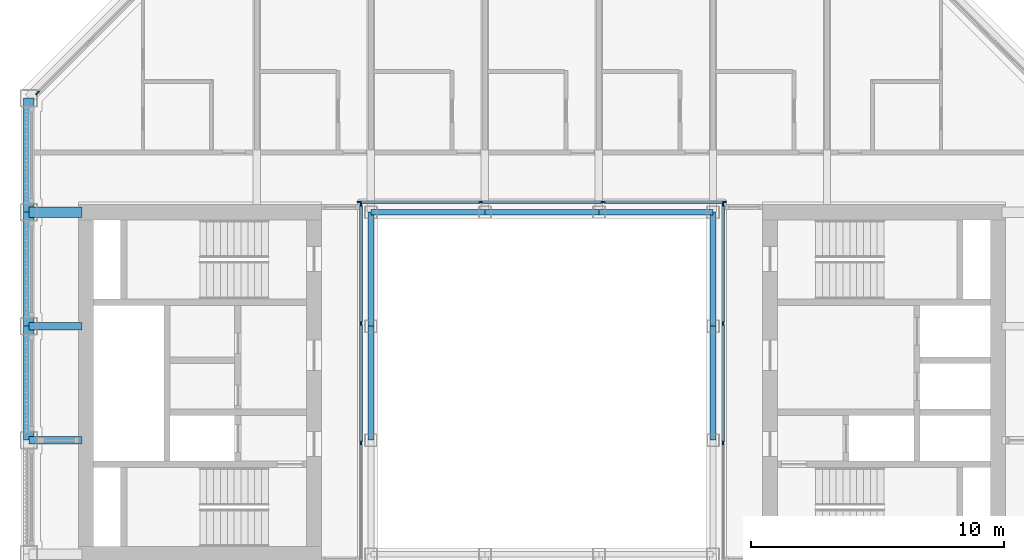
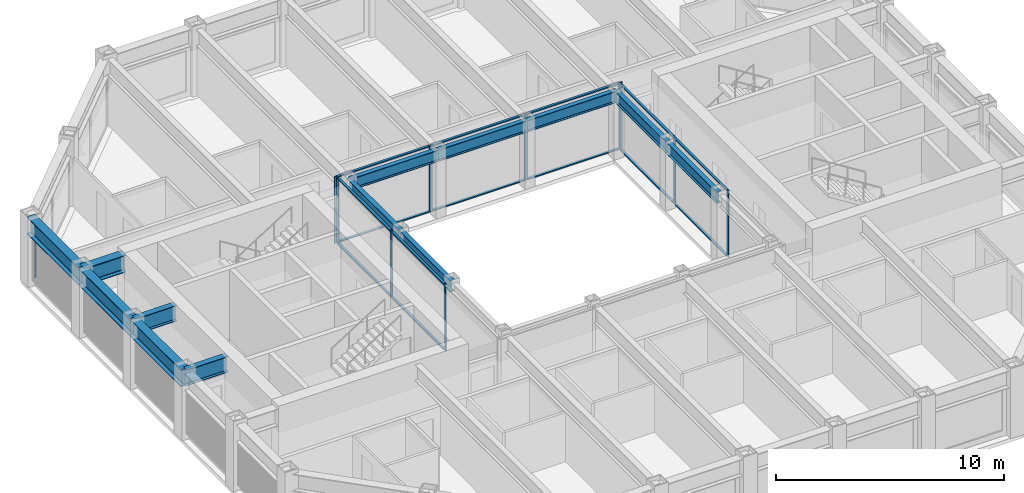
# One storey, part 4 of 18: 25 members, 13 beams, 4 elements without a shape of their own.
"""IFC4 building model written with IfcOpenShell, lengths in metres."""

from ifc_helpers import new_model, si_unit, direction, frame, origin, origin_2d, place, context, subcontext, project, spatial, rectangle, i_section, extrude, material, material_profile, profile_set, type_object, element, aggregate, save


model = new_model("IFC4")

# Units and contexts
model_context = context("Model", 3, precision=1e-05, world=origin(), true_north=direction((0.0, 1.0)))
body_context = subcontext(model_context, "Body", "Model", "MODEL_VIEW")
ifc_project = project(units=[si_unit("LENGTHUNIT", "METRE"), si_unit("AREAUNIT", "SQUARE_METRE"), si_unit("VOLUMEUNIT", "CUBIC_METRE"), si_unit("PLANEANGLEUNIT", "RADIAN"), si_unit("MASSUNIT", "GRAM", prefix="KILO")], contexts=[model_context])

# Site, building, storey
site_placement = place(None, origin())
site = spatial("IfcSite", under=ifc_project, at=site_placement, CompositionType="ELEMENT")
building_placement = place(site_placement, origin())
building = spatial("IfcBuilding", under=site, at=building_placement, Name="Msasa Ring Tower", CompositionType="ELEMENT")
storey_placement = place(building_placement, frame((0.0, 0.0, 200.800048828125)))
storey = spatial("IfcBuildingStorey", under=building, at=storey_placement, Name="L52", CompositionType="ELEMENT", Elevation=200.800048828125)

# Curtain wall, member
ifc_material_1 = material(Name="Aluminium curtain wall with clear glass", Category="aluminium")
curtain_wall_type_1 = type_object("IfcCurtainWallType", Name="CW-C CHAMFER CORNER CURTAIN WALL", PredefinedType="NOTDEFINED", material=ifc_material_1)
curtain_wall_1_placement = place(storey_placement, origin())
curtain_wall_1 = element("IfcCurtainWall", 1, at=curtain_wall_1_placement, inside=storey, type_object=curtain_wall_type_1, Name="Chamfer corner curtain wall NW L52", PredefinedType="NOTDEFINED")
ifc_material_2 = material(Name="Aluminium mullion", Category="aluminium")
ifc_material_profile_1 = material_profile(ifc_material_2, rectangle(XDim=0.06494140625, YDim=0.179931640625, at=origin_2d()), Name="AL 65x180")
ifc_profile_set_1 = profile_set([ifc_material_profile_1], Name="Aluminium mullion")
member_type_1 = type_object("IfcMemberType", Name="CW-C MULLION 65x180", PredefinedType="MULLION", material=ifc_profile_set_1)
member_1_placement = place(storey_placement, frame((-19.9052734375, 11.453369140625, 0.0), z_axis=(0.0, 0.0, 1.0), x_axis=(0.707106781187, -0.707106781187, 0.0)))
member_1 = element("IfcMember", 2, at=member_1_placement, type_object=member_type_1, Name="CW-C mullion 3", PredefinedType="MULLION", context=body_context, shape_type="SweptSolid", body=[
    extrude(rectangle(XDim=0.06494140625, YDim=0.179931640625, at=origin_2d()), origin(), (0.0, 0.0, 1.0), 2.62890625),
])
aggregate(curtain_wall_1, [member_1])

# Curtain wall, members
ifc_material_3 = material(Name="Aluminium curtain wall with clear glass", Category="aluminium")
curtain_wall_type_2 = type_object("IfcCurtainWallType", Name="CW-W LIGHT WELL CURTAIN WALL", PredefinedType="NOTDEFINED", material=ifc_material_3)
curtain_wall_2_placement = place(storey_placement, origin())
curtain_wall_2 = element("IfcCurtainWall", 3, at=curtain_wall_2_placement, inside=storey, type_object=curtain_wall_type_2, Name="Light well curtain wall N L52", PredefinedType="NOTDEFINED")
ifc_material_4 = material(Name="Aluminium mullion", Category="aluminium")
ifc_material_profile_2 = material_profile(ifc_material_4, rectangle(XDim=0.06005859375, YDim=0.159912109375, at=origin_2d()), Name="AL 60x160")
ifc_profile_set_2 = profile_set([ifc_material_profile_2], Name="Aluminium mullion")
member_type_2 = type_object("IfcMemberType", Name="CW-W MULLION 60x160", PredefinedType="MULLION", material=ifc_profile_set_2)
member_2_placement = place(storey_placement, frame((-7.199951171875, 7.14990234375, 0.0), z_axis=(0.0, 0.0, 1.0), x_axis=(0.0, 1.0, 0.0)))
member_2 = element("IfcMember", 4, at=member_2_placement, type_object=member_type_2, Name="CW-W mullion 1", PredefinedType="MULLION", context=body_context, shape_type="SweptSolid", body=[
    extrude(rectangle(XDim=0.06005859375, YDim=0.159912109375, at=origin_2d()), origin(), (0.0, 0.0, 1.0), 3.550048828125),
])
member_3_placement = place(storey_placement, frame((-2.409912109375, 7.14990234375, 0.0), z_axis=(0.0, 0.0, 1.0), x_axis=(0.0, 1.0, 0.0)))
member_3 = element("IfcMember", 5, at=member_3_placement, type_object=member_type_2, Name="CW-W mullion 2", PredefinedType="MULLION", context=body_context, shape_type="SweptSolid", body=[
    extrude(rectangle(XDim=0.06005859375, YDim=0.159912109375, at=origin_2d()), origin(), (0.0, 0.0, 1.0), 3.550048828125),
])
member_4_placement = place(storey_placement, frame((2.409912109375, 7.14990234375, 0.0), z_axis=(0.0, 0.0, 1.0), x_axis=(0.0, 1.0, 0.0)))
member_4 = element("IfcMember", 6, at=member_4_placement, type_object=member_type_2, Name="CW-W mullion 3", PredefinedType="MULLION", context=body_context, shape_type="SweptSolid", body=[
    extrude(rectangle(XDim=0.06005859375, YDim=0.159912109375, at=origin_2d()), origin(), (0.0, 0.0, 1.0), 3.550048828125),
])
member_5_placement = place(storey_placement, frame((7.199951171875, 7.14990234375, 0.0), z_axis=(0.0, 0.0, 1.0), x_axis=(0.0, 1.0, 0.0)))
member_5 = element("IfcMember", 7, at=member_5_placement, type_object=member_type_2, Name="CW-W mullion 4", PredefinedType="MULLION", context=body_context, shape_type="SweptSolid", body=[
    extrude(rectangle(XDim=0.06005859375, YDim=0.159912109375, at=origin_2d()), origin(), (0.0, 0.0, 1.0), 3.550048828125),
])

curtain_wall_3_placement = place(storey_placement, origin())
curtain_wall_3 = element("IfcCurtainWall", 8, at=curtain_wall_3_placement, inside=storey, type_object=curtain_wall_type_2, Name="Light well curtain wall E L52", PredefinedType="NOTDEFINED")
member_6_placement = place(storey_placement, frame((7.14990234375, -2.356689453125, 0.0), z_axis=(0.0, 0.0, 1.0), x_axis=(-1.0, 0.0, 0.0)))
member_6 = element("IfcMember", 9, at=member_6_placement, type_object=member_type_2, Name="CW-W mullion 2", PredefinedType="MULLION", context=body_context, shape_type="SweptSolid", body=[
    extrude(rectangle(XDim=0.06005859375, YDim=0.159912109375, at=origin_2d()), origin(), (0.0, 0.0, 1.0), 3.550048828125),
])
member_7_placement = place(storey_placement, frame((7.14990234375, 2.356689453125, 0.0), z_axis=(0.0, 0.0, 1.0), x_axis=(-1.0, 0.0, 0.0)))
member_7 = element("IfcMember", 10, at=member_7_placement, type_object=member_type_2, Name="CW-W mullion 3", PredefinedType="MULLION", context=body_context, shape_type="SweptSolid", body=[
    extrude(rectangle(XDim=0.06005859375, YDim=0.159912109375, at=origin_2d()), origin(), (0.0, 0.0, 1.0), 3.550048828125),
])
member_8_placement = place(storey_placement, frame((7.14990234375, 7.0400390625, 0.0), z_axis=(0.0, 0.0, 1.0), x_axis=(-1.0, 0.0, 0.0)))
member_8 = element("IfcMember", 11, at=member_8_placement, type_object=member_type_2, Name="CW-W mullion 4", PredefinedType="MULLION", context=body_context, shape_type="SweptSolid", body=[
    extrude(rectangle(XDim=0.06005859375, YDim=0.159912109375, at=origin_2d()), origin(), (0.0, 0.0, 1.0), 3.550048828125),
])

curtain_wall_4_placement = place(storey_placement, origin())
curtain_wall_4 = element("IfcCurtainWall", 12, at=curtain_wall_4_placement, inside=storey, type_object=curtain_wall_type_2, Name="Light well curtain wall W L52", PredefinedType="NOTDEFINED")
member_9_placement = place(storey_placement, frame((-7.14990234375, -2.356689453125, 0.0), z_axis=(0.0, 0.0, 1.0), x_axis=(-1.0, 0.0, 0.0)))
member_9 = element("IfcMember", 13, at=member_9_placement, type_object=member_type_2, Name="CW-W mullion 2", PredefinedType="MULLION", context=body_context, shape_type="SweptSolid", body=[
    extrude(rectangle(XDim=0.06005859375, YDim=0.159912109375, at=origin_2d()), origin(), (0.0, 0.0, 1.0), 3.550048828125),
])
member_10_placement = place(storey_placement, frame((-7.14990234375, 2.356689453125, 0.0), z_axis=(0.0, 0.0, 1.0), x_axis=(-1.0, 0.0, 0.0)))
member_10 = element("IfcMember", 14, at=member_10_placement, type_object=member_type_2, Name="CW-W mullion 3", PredefinedType="MULLION", context=body_context, shape_type="SweptSolid", body=[
    extrude(rectangle(XDim=0.06005859375, YDim=0.159912109375, at=origin_2d()), origin(), (0.0, 0.0, 1.0), 3.550048828125),
])
member_11_placement = place(storey_placement, frame((-7.14990234375, 7.0400390625, 0.0), z_axis=(0.0, 0.0, 1.0), x_axis=(-1.0, 0.0, 0.0)))
member_11 = element("IfcMember", 15, at=member_11_placement, type_object=member_type_2, Name="CW-W mullion 4", PredefinedType="MULLION", context=body_context, shape_type="SweptSolid", body=[
    extrude(rectangle(XDim=0.06005859375, YDim=0.159912109375, at=origin_2d()), origin(), (0.0, 0.0, 1.0), 3.550048828125),
])

# Member
ifc_material_5 = material(Name="Aluminium transom", Category="aluminium")
ifc_material_profile_3 = material_profile(ifc_material_5, rectangle(XDim=0.1201171875, YDim=0.06005859375, at=origin_2d()), Name="AL 60x120")
ifc_profile_set_3 = profile_set([ifc_material_profile_3], Name="Aluminium transom")
member_type_3 = type_object("IfcMemberType", Name="CW-W TRANSOM 60x120", PredefinedType="USERDEFINED", material=ifc_profile_set_3)
member_12_placement = place(storey_placement, frame((-7.169921875, 7.14990234375, 0.030029296875), z_axis=(1.0, 0.0, 0.0), x_axis=(0.0, 1.0, 0.0)))
member_12 = element("IfcMember", 16, at=member_12_placement, type_object=member_type_3, Name="CW-W transom 1.1", ObjectType="TRANSOM", PredefinedType="USERDEFINED", context=body_context, shape_type="SweptSolid", body=[
    extrude(rectangle(XDim=0.1201171875, YDim=0.06005859375, at=origin_2d()), origin(), (0.0, 0.0, 1.0), 4.72998046875),
])

member_13_placement = place(storey_placement, frame((-7.169921875, 7.14990234375, 3.52001953125), z_axis=(1.0, 0.0, 0.0), x_axis=(0.0, 1.0, 0.0)))
member_13 = element("IfcMember", 17, at=member_13_placement, type_object=member_type_3, Name="CW-W transom 1.2", ObjectType="TRANSOM", PredefinedType="USERDEFINED", context=body_context, shape_type="SweptSolid", body=[
    extrude(rectangle(XDim=0.1201171875, YDim=0.06005859375, at=origin_2d()), origin(), (0.0, 0.0, 1.0), 4.72998046875),
])

member_14_placement = place(storey_placement, frame((-2.3798828125, 7.14990234375, 0.030029296875), z_axis=(1.0, 0.0, 0.0), x_axis=(0.0, 1.0, 0.0)))
member_14 = element("IfcMember", 18, at=member_14_placement, type_object=member_type_3, Name="CW-W transom 2.1", ObjectType="TRANSOM", PredefinedType="USERDEFINED", context=body_context, shape_type="SweptSolid", body=[
    extrude(rectangle(XDim=0.1201171875, YDim=0.06005859375, at=origin_2d()), origin(), (0.0, 0.0, 1.0), 4.759765625),
])

member_15_placement = place(storey_placement, frame((-2.3798828125, 7.14990234375, 3.52001953125), z_axis=(1.0, 0.0, 0.0), x_axis=(0.0, 1.0, 0.0)))
member_15 = element("IfcMember", 19, at=member_15_placement, type_object=member_type_3, Name="CW-W transom 2.2", ObjectType="TRANSOM", PredefinedType="USERDEFINED", context=body_context, shape_type="SweptSolid", body=[
    extrude(rectangle(XDim=0.1201171875, YDim=0.06005859375, at=origin_2d()), origin(), (0.0, 0.0, 1.0), 4.759765625),
])

member_16_placement = place(storey_placement, frame((2.43994140625, 7.14990234375, 0.030029296875), z_axis=(1.0, 0.0, 0.0), x_axis=(0.0, 1.0, 0.0)))
member_16 = element("IfcMember", 20, at=member_16_placement, type_object=member_type_3, Name="CW-W transom 3.1", ObjectType="TRANSOM", PredefinedType="USERDEFINED", context=body_context, shape_type="SweptSolid", body=[
    extrude(rectangle(XDim=0.1201171875, YDim=0.06005859375, at=origin_2d()), origin(), (0.0, 0.0, 1.0), 4.72998046875),
])

member_17_placement = place(storey_placement, frame((2.43994140625, 7.14990234375, 3.52001953125), z_axis=(1.0, 0.0, 0.0), x_axis=(0.0, 1.0, 0.0)))
member_17 = element("IfcMember", 21, at=member_17_placement, type_object=member_type_3, Name="CW-W transom 3.2", ObjectType="TRANSOM", PredefinedType="USERDEFINED", context=body_context, shape_type="SweptSolid", body=[
    extrude(rectangle(XDim=0.1201171875, YDim=0.06005859375, at=origin_2d()), origin(), (0.0, 0.0, 1.0), 4.72998046875),
])

aggregate(curtain_wall_2, [member_2, member_3, member_4, member_5, member_12, member_13, member_14, member_15, member_16, member_17])

member_18_placement = place(storey_placement, frame((7.14990234375, -2.32666015625, 0.030029296875), z_axis=(0.0, 1.0, 0.0), x_axis=(-1.0, 0.0, 0.0)))
member_18 = element("IfcMember", 22, at=member_18_placement, type_object=member_type_3, Name="CW-W transom 2.1", ObjectType="TRANSOM", PredefinedType="USERDEFINED", context=body_context, shape_type="SweptSolid", body=[
    extrude(rectangle(XDim=0.1201171875, YDim=0.06005859375, at=origin_2d()), origin(), (0.0, 0.0, 1.0), 4.6533203125),
])

member_19_placement = place(storey_placement, frame((7.14990234375, -2.32666015625, 3.52001953125), z_axis=(0.0, 1.0, 0.0), x_axis=(-1.0, 0.0, 0.0)))
member_19 = element("IfcMember", 23, at=member_19_placement, type_object=member_type_3, Name="CW-W transom 2.2", ObjectType="TRANSOM", PredefinedType="USERDEFINED", context=body_context, shape_type="SweptSolid", body=[
    extrude(rectangle(XDim=0.1201171875, YDim=0.06005859375, at=origin_2d()), origin(), (0.0, 0.0, 1.0), 4.6533203125),
])

member_20_placement = place(storey_placement, frame((7.14990234375, 2.38671875, 0.030029296875), z_axis=(0.0, 1.0, 0.0), x_axis=(-1.0, 0.0, 0.0)))
member_20 = element("IfcMember", 24, at=member_20_placement, type_object=member_type_3, Name="CW-W transom 3.1", ObjectType="TRANSOM", PredefinedType="USERDEFINED", context=body_context, shape_type="SweptSolid", body=[
    extrude(rectangle(XDim=0.1201171875, YDim=0.06005859375, at=origin_2d()), origin(), (0.0, 0.0, 1.0), 4.623291015625),
])

member_21_placement = place(storey_placement, frame((7.14990234375, 2.38671875, 3.52001953125), z_axis=(0.0, 1.0, 0.0), x_axis=(-1.0, 0.0, 0.0)))
member_21 = element("IfcMember", 25, at=member_21_placement, type_object=member_type_3, Name="CW-W transom 3.2", ObjectType="TRANSOM", PredefinedType="USERDEFINED", context=body_context, shape_type="SweptSolid", body=[
    extrude(rectangle(XDim=0.1201171875, YDim=0.06005859375, at=origin_2d()), origin(), (0.0, 0.0, 1.0), 4.623291015625),
])

aggregate(curtain_wall_3, [member_6, member_7, member_8, member_18, member_19, member_20, member_21])

member_22_placement = place(storey_placement, frame((-7.14990234375, -2.32666015625, 0.030029296875), z_axis=(0.0, 1.0, 0.0), x_axis=(-1.0, 0.0, 0.0)))
member_22 = element("IfcMember", 26, at=member_22_placement, type_object=member_type_3, Name="CW-W transom 2.1", ObjectType="TRANSOM", PredefinedType="USERDEFINED", context=body_context, shape_type="SweptSolid", body=[
    extrude(rectangle(XDim=0.1201171875, YDim=0.06005859375, at=origin_2d()), origin(), (0.0, 0.0, 1.0), 4.6533203125),
])

member_23_placement = place(storey_placement, frame((-7.14990234375, -2.32666015625, 3.52001953125), z_axis=(0.0, 1.0, 0.0), x_axis=(-1.0, 0.0, 0.0)))
member_23 = element("IfcMember", 27, at=member_23_placement, type_object=member_type_3, Name="CW-W transom 2.2", ObjectType="TRANSOM", PredefinedType="USERDEFINED", context=body_context, shape_type="SweptSolid", body=[
    extrude(rectangle(XDim=0.1201171875, YDim=0.06005859375, at=origin_2d()), origin(), (0.0, 0.0, 1.0), 4.6533203125),
])

member_24_placement = place(storey_placement, frame((-7.14990234375, 2.38671875, 0.030029296875), z_axis=(0.0, 1.0, 0.0), x_axis=(-1.0, 0.0, 0.0)))
member_24 = element("IfcMember", 28, at=member_24_placement, type_object=member_type_3, Name="CW-W transom 3.1", ObjectType="TRANSOM", PredefinedType="USERDEFINED", context=body_context, shape_type="SweptSolid", body=[
    extrude(rectangle(XDim=0.1201171875, YDim=0.06005859375, at=origin_2d()), origin(), (0.0, 0.0, 1.0), 4.623291015625),
])

member_25_placement = place(storey_placement, frame((-7.14990234375, 2.38671875, 3.52001953125), z_axis=(0.0, 1.0, 0.0), x_axis=(-1.0, 0.0, 0.0)))
member_25 = element("IfcMember", 29, at=member_25_placement, type_object=member_type_3, Name="CW-W transom 3.2", ObjectType="TRANSOM", PredefinedType="USERDEFINED", context=body_context, shape_type="SweptSolid", body=[
    extrude(rectangle(XDim=0.1201171875, YDim=0.06005859375, at=origin_2d()), origin(), (0.0, 0.0, 1.0), 4.623291015625),
])

aggregate(curtain_wall_4, [member_9, member_10, member_11, member_22, member_23, member_24, member_25])

# Beams
ifc_material_6 = material(Name="Steel S355", Category="steel")
ifc_material_profile_4 = material_profile(ifc_material_6, i_section(OverallWidth=0.293701171875, OverallDepth=0.850830078125, WebThickness=0.01611328125, FlangeThickness=0.02685546875, FilletRadius=0.017822265625, at=origin_2d()), Name="UB 838x292x226")
ifc_profile_set_4 = profile_set([ifc_material_profile_4], Name="Steel S355")
beam_type_1 = type_object("IfcBeamType", Name="FB5 UB 838x292x226", PredefinedType="BEAM", material=ifc_profile_set_4)
for number, where, z_axis, x_axis, name in (
    (30, (-20.25, -2.25, 3.12451171875), (1.0, 0.0, 0.0), (0.0, 1.0, 0.0), "Floor beam W -2.25 under L53"),
    (31, (-20.25, 2.25, 3.12451171875), (1.0, 0.0, 0.0), (0.0, 1.0, 0.0), "Floor beam W +2.25 under L53"),
):
    element("IfcBeam", number, at=place(storey_placement, frame(where, z_axis=z_axis, x_axis=x_axis)), inside=storey, type_object=beam_type_1, Name=name, PredefinedType="BEAM", context=body_context, shape_type="SweptSolid", body=[
        extrude(i_section(OverallWidth=0.293701171875, OverallDepth=0.850830078125, WebThickness=0.01611328125, FlangeThickness=0.02685546875, FilletRadius=0.017822265625, at=origin_2d()), origin(), (0.0, 0.0, 1.0), 2.10009765625),
    ])
ifc_material_7 = material(Name="Steel S355", Category="steel")
ifc_material_profile_5 = material_profile(ifc_material_7, i_section(OverallWidth=0.42041015625, OverallDepth=0.9208984375, WebThickness=0.021484375, FlangeThickness=0.03662109375, FilletRadius=0.024169921875, at=origin_2d()), Name="UB 914x419x388")
ifc_profile_set_5 = profile_set([ifc_material_profile_5], Name="Steel S355")
beam_type_2 = type_object("IfcBeamType", Name="GB1 UB 914x419x388", PredefinedType="BEAM", material=ifc_profile_set_5)
beam_placement = place(storey_placement, frame((-18.14990234375, 6.75, 3.08935546875), z_axis=(-1.0, 0.0, 0.0), x_axis=(0.0, -1.0, 0.0)))
element("IfcBeam", 32, at=beam_placement, inside=storey, type_object=beam_type_2, Name="Girder W +6.75 under L53", PredefinedType="BEAM", context=body_context, shape_type="SweptSolid", body=[
    extrude(i_section(OverallWidth=0.42041015625, OverallDepth=0.9208984375, WebThickness=0.021484375, FlangeThickness=0.03662109375, FilletRadius=0.024169921875, at=origin_2d()), origin(), (0.0, 0.0, 1.0), 2.10009765625),
])
ifc_material_8 = material(Name="Steel S355", Category="steel")
ifc_material_profile_6 = material_profile(ifc_material_8, i_section(OverallWidth=0.230224609375, OverallDepth=0.6171875, WebThickness=0.01318359375, FlangeThickness=0.022216796875, FilletRadius=0.0126953125, at=origin_2d()), Name="UB 610x229x140")
ifc_profile_set_6 = profile_set([ifc_material_profile_6], Name="Steel S355")
beam_type_3 = type_object("IfcBeamType", Name="RB1 UB 610x229x140", PredefinedType="BEAM", material=ifc_profile_set_6)
for number, where, z_axis, x_axis, name in (
    (33, (6.75, -2.25, 3.241455078125), (0.0, 1.0, 0.0), (-1.0, 0.0, 0.0), "Inner ring beam IR+6.75-2.25 under L53"),
    (34, (6.75, 2.25, 3.241455078125), (0.0, 1.0, 0.0), (-1.0, 0.0, 0.0), "Inner ring beam IR+6.75+2.25 under L53"),
    (35, (6.75, 6.75, 3.241455078125), (-1.0, 0.0, 0.0), (0.0, -1.0, 0.0), "Inner ring beam IR+6.75+6.75 under L53"),
    (36, (2.25, 6.75, 3.241455078125), (-1.0, 0.0, 0.0), (0.0, -1.0, 0.0), "Inner ring beam IR+2.25+6.75 under L53"),
    (37, (-2.25, 6.75, 3.241455078125), (-1.0, 0.0, 0.0), (0.0, -1.0, 0.0), "Inner ring beam IR-2.25+6.75 under L53"),
    (38, (-6.75, 6.75, 3.241455078125), (0.0, -1.0, 0.0), (1.0, 0.0, 0.0), "Inner ring beam IR-6.75+6.75 under L53"),
    (39, (-6.75, 2.25, 3.241455078125), (0.0, -1.0, 0.0), (1.0, 0.0, 0.0), "Inner ring beam IR-6.75+2.25 under L53"),
):
    element("IfcBeam", number, at=place(storey_placement, frame(where, z_axis=z_axis, x_axis=x_axis)), inside=storey, type_object=beam_type_3, Name=name, PredefinedType="BEAM", context=body_context, shape_type="SweptSolid", body=[
        extrude(i_section(OverallWidth=0.230224609375, OverallDepth=0.6171875, WebThickness=0.01318359375, FlangeThickness=0.022216796875, FilletRadius=0.0126953125, at=origin_2d()), origin(), (0.0, 0.0, 1.0), 4.5),
    ])
ifc_material_9 = material(Name="Steel S355", Category="steel")
ifc_material_profile_7 = material_profile(ifc_material_9, i_section(OverallWidth=0.42041015625, OverallDepth=0.9208984375, WebThickness=0.021484375, FlangeThickness=0.03662109375, FilletRadius=0.024169921875, at=origin_2d()), Name="UB 914x419x388")
ifc_profile_set_7 = profile_set([ifc_material_profile_7], Name="Steel S355")
beam_type_4 = type_object("IfcBeamType", Name="SB1 UB 914x419x388", PredefinedType="SPANDREL", material=ifc_profile_set_7)
for number, where, z_axis, x_axis, name in (
    (40, (-20.25, 11.25, 3.08935546875), (0.0, -1.0, 0.0), (1.0, 0.0, 0.0), "Spandrel W+11.25 to W+6.75 under L53"),
    (41, (-20.25, 6.75, 3.08935546875), (0.0, -1.0, 0.0), (1.0, 0.0, 0.0), "Spandrel W+6.75 to W+2.25 under L53"),
    (42, (-20.25, 2.25, 3.08935546875), (0.0, -1.0, 0.0), (1.0, 0.0, 0.0), "Spandrel W+2.25 to W-2.25 under L53"),
):
    element("IfcBeam", number, at=place(storey_placement, frame(where, z_axis=z_axis, x_axis=x_axis)), inside=storey, type_object=beam_type_4, Name=name, PredefinedType="SPANDREL", context=body_context, shape_type="SweptSolid", body=[
        extrude(i_section(OverallWidth=0.42041015625, OverallDepth=0.9208984375, WebThickness=0.021484375, FlangeThickness=0.03662109375, FilletRadius=0.024169921875, at=origin_2d()), origin(), (0.0, 0.0, 1.0), 4.5),
    ])

save(model, "model.ifc")
